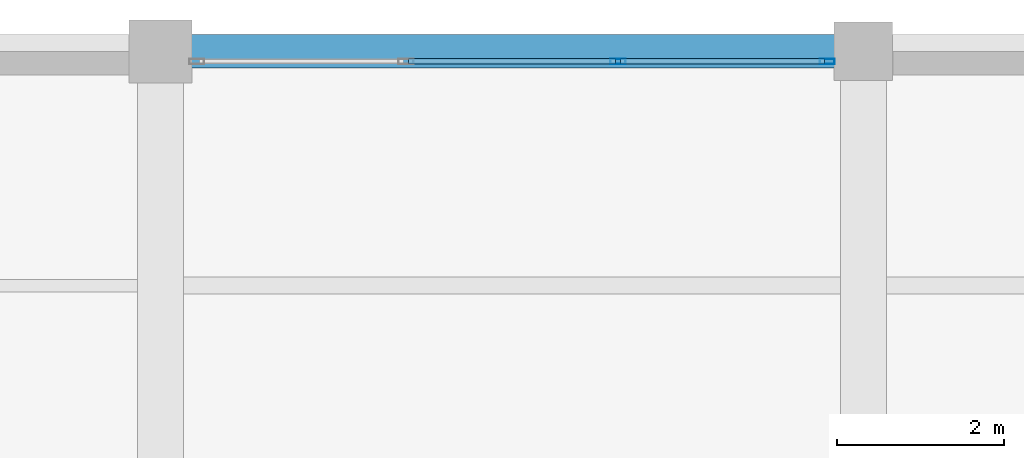
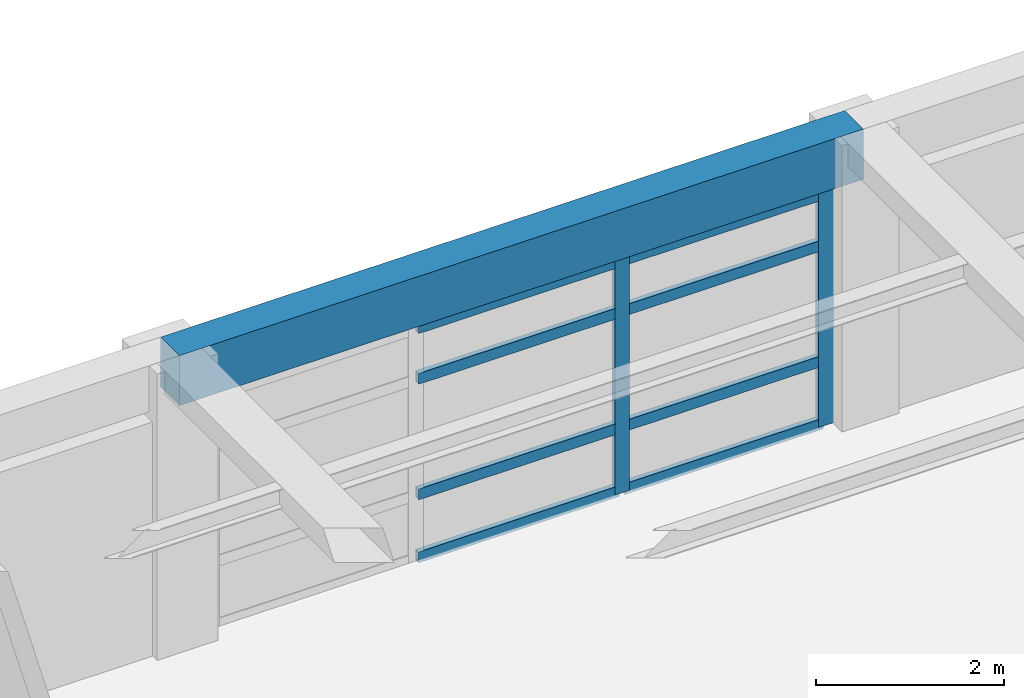
# One storey, part 17 of 26: 10 members, 1 beam, 1 element without a shape of its own.
"""IFC4 building model written with IfcOpenShell, lengths in metres."""

from ifc_helpers import new_model, si_unit, direction, frame, origin, origin_2d, place, context, subcontext, project, spatial, rectangle, hollow_rectangle, extrude, material, material_profile, profile_set, type_object, element, aggregate, save


model = new_model("IFC4")

# Units and contexts
model_context = context("Model", 3, precision=1e-05, world=origin(), true_north=direction((0.0, 1.0)))
body_context = subcontext(model_context, "Body", "Model", "MODEL_VIEW")
ifc_project = project(units=[si_unit("LENGTHUNIT", "METRE"), si_unit("AREAUNIT", "SQUARE_METRE"), si_unit("VOLUMEUNIT", "CUBIC_METRE"), si_unit("PLANEANGLEUNIT", "RADIAN"), si_unit("MASSUNIT", "GRAM", prefix="KILO")], contexts=[model_context])

# Site, building, storey
site_placement = place(None, origin())
site = spatial("IfcSite", under=ifc_project, at=site_placement, CompositionType="ELEMENT")
building_placement = place(site_placement, origin())
building = spatial("IfcBuilding", under=site, at=building_placement, Name="Almacenes y Pasaje Nevantli", CompositionType="ELEMENT")
storey_placement = place(building_placement, frame((0.0, 0.0, 30.699951171875)))
storey = spatial("IfcBuildingStorey", under=building, at=storey_placement, Name="L07", CompositionType="ELEMENT", Elevation=30.699951171875)

# Beam
ifc_material_1 = material(Name="Concrete C35/45", Category="concrete")
ifc_material_profile_1 = material_profile(ifc_material_1, rectangle(XDim=0.39990234375, YDim=0.64990234375, at=origin_2d()), Name="RC-BM-400x650")
ifc_profile_set_1 = profile_set([ifc_material_profile_1], Name="Concrete C35/45")
beam_type = type_object("IfcBeamType", Name="BM-RC-400x650", PredefinedType="SPANDREL", material=ifc_profile_set_1)
beam_placement = place(storey_placement, frame((117.60009765625, 100.800048828125, 3.39501953125), z_axis=(1.0, 0.0, 0.0), x_axis=(0.0, 1.0, 0.0)))
element("IfcBeam", 1, at=beam_placement, inside=storey, type_object=beam_type, Name="L07 East-West Reinforced Concrete Beam #3654", PredefinedType="SPANDREL", context=body_context, shape_type="SweptSolid", body=[
    extrude(rectangle(XDim=0.39990234375, YDim=0.64990234375, at=origin_2d()), origin(), (0.0, 0.0, 1.0), 8.39990234375),
])

# Curtain wall, members
ifc_material_2 = material(Name="Thermally Broken Aluminium and Low-E Glass", Category="aluminium")
curtain_wall_type = type_object("IfcCurtainWallType", Name="CW-UNIT-TOWER", PredefinedType="USERDEFINED", material=ifc_material_2)
curtain_wall_placement = place(storey_placement, origin())
curtain_wall = element("IfcCurtainWall", 2, at=curtain_wall_placement, inside=storey, type_object=curtain_wall_type, Name="L07 Tower North Boulevard Unitized Curtain Wall Bay 15", ObjectType="UNITIZED CURTAIN WALL", PredefinedType="USERDEFINED")
ifc_material_3 = material(Name="Thermally Broken Anodized Aluminium", Category="aluminium")
ifc_material_profile_2 = material_profile(ifc_material_3, hollow_rectangle(XDim=0.06494140625, YDim=0.179931640625, WallThickness=0.00390625, at=origin_2d()), Name="ALU-MUL-65x180")
ifc_profile_set_2 = profile_set([ifc_material_profile_2], Name="Thermally Broken Anodized Aluminium")
member_type_1 = type_object("IfcMemberType", Name="CW-MUL-200", PredefinedType="MULLION", material=ifc_profile_set_2)
member_1_placement = place(storey_placement, frame((123.066650390625, 100.679931640625, 0.0), z_axis=(0.0, 0.0, 1.0), x_axis=(0.0, 1.0, 0.0)))
member_1 = element("IfcMember", 3, at=member_1_placement, type_object=member_type_1, Name="CW-L07-112 mullion 3", PredefinedType="MULLION", context=body_context, shape_type="SweptSolid", body=[
    extrude(hollow_rectangle(XDim=0.06494140625, YDim=0.179931640625, WallThickness=0.00390625, at=origin_2d()), origin(), (0.0, 0.0, 1.0), 3.0400390625),
])
member_2_placement = place(storey_placement, frame((125.5673828125, 100.679931640625, 0.0), z_axis=(0.0, 0.0, 1.0), x_axis=(0.0, 1.0, 0.0)))
member_2 = element("IfcMember", 4, at=member_2_placement, type_object=member_type_1, Name="CW-L07-112 mullion 4", PredefinedType="MULLION", context=body_context, shape_type="SweptSolid", body=[
    extrude(hollow_rectangle(XDim=0.06494140625, YDim=0.179931640625, WallThickness=0.00390625, at=origin_2d()), origin(), (0.0, 0.0, 1.0), 3.0400390625),
])
ifc_material_4 = material(Name="Thermally Broken Anodized Aluminium", Category="aluminium")
ifc_material_profile_3 = material_profile(ifc_material_4, hollow_rectangle(XDim=0.06494140625, YDim=0.139892578125, WallThickness=0.00390625, at=origin_2d()), Name="ALU-TRN-65x140")
ifc_profile_set_3 = profile_set([ifc_material_profile_3], Name="Thermally Broken Anodized Aluminium")
member_type_2 = type_object("IfcMemberType", Name="CW-TRN-150", PredefinedType="USERDEFINED", material=ifc_profile_set_3)
member_3_placement = place(storey_placement, frame((120.56591796875, 100.679931640625, 0.032470703125), z_axis=(1.0, 0.0, 0.0), x_axis=(0.0, 1.0, 0.0)))
member_3 = element("IfcMember", 5, at=member_3_placement, type_object=member_type_2, Name="CW-L07-112 transom 2.1", ObjectType="TRANSOM", PredefinedType="USERDEFINED", context=body_context, shape_type="SweptSolid", body=[
    extrude(hollow_rectangle(XDim=0.06494140625, YDim=0.139892578125, WallThickness=0.00390625, at=origin_2d()), origin(), (0.0, 0.0, 1.0), 2.46826171875),
])
member_4_placement = place(storey_placement, frame((120.56591796875, 100.679931640625, 0.85009765625), z_axis=(1.0, 0.0, 0.0), x_axis=(0.0, 1.0, 0.0)))
member_4 = element("IfcMember", 6, at=member_4_placement, type_object=member_type_2, Name="CW-L07-112 transom 2.2", ObjectType="TRANSOM", PredefinedType="USERDEFINED", context=body_context, shape_type="SweptSolid", body=[
    extrude(hollow_rectangle(XDim=0.06494140625, YDim=0.139892578125, WallThickness=0.00390625, at=origin_2d()), origin(), (0.0, 0.0, 1.0), 2.46826171875),
])
member_5_placement = place(storey_placement, frame((120.56591796875, 100.679931640625, 2.35009765625), z_axis=(1.0, 0.0, 0.0), x_axis=(0.0, 1.0, 0.0)))
member_5 = element("IfcMember", 7, at=member_5_placement, type_object=member_type_2, Name="CW-L07-112 transom 2.3", ObjectType="TRANSOM", PredefinedType="USERDEFINED", context=body_context, shape_type="SweptSolid", body=[
    extrude(hollow_rectangle(XDim=0.06494140625, YDim=0.139892578125, WallThickness=0.00390625, at=origin_2d()), origin(), (0.0, 0.0, 1.0), 2.46826171875),
])
member_6_placement = place(storey_placement, frame((120.56591796875, 100.679931640625, 3.007568359375), z_axis=(1.0, 0.0, 0.0), x_axis=(0.0, 1.0, 0.0)))
member_6 = element("IfcMember", 8, at=member_6_placement, type_object=member_type_2, Name="CW-L07-112 transom 2.4", ObjectType="TRANSOM", PredefinedType="USERDEFINED", context=body_context, shape_type="SweptSolid", body=[
    extrude(hollow_rectangle(XDim=0.06494140625, YDim=0.139892578125, WallThickness=0.00390625, at=origin_2d()), origin(), (0.0, 0.0, 1.0), 2.46826171875),
])
member_7_placement = place(storey_placement, frame((123.09912109375, 100.679931640625, 0.032470703125), z_axis=(1.0, 0.0, 0.0), x_axis=(0.0, 1.0, 0.0)))
member_7 = element("IfcMember", 9, at=member_7_placement, type_object=member_type_2, Name="CW-L07-112 transom 3.1", ObjectType="TRANSOM", PredefinedType="USERDEFINED", context=body_context, shape_type="SweptSolid", body=[
    extrude(hollow_rectangle(XDim=0.06494140625, YDim=0.139892578125, WallThickness=0.00390625, at=origin_2d()), origin(), (0.0, 0.0, 1.0), 2.435791015625),
])
member_8_placement = place(storey_placement, frame((123.09912109375, 100.679931640625, 0.85009765625), z_axis=(1.0, 0.0, 0.0), x_axis=(0.0, 1.0, 0.0)))
member_8 = element("IfcMember", 10, at=member_8_placement, type_object=member_type_2, Name="CW-L07-112 transom 3.2", ObjectType="TRANSOM", PredefinedType="USERDEFINED", context=body_context, shape_type="SweptSolid", body=[
    extrude(hollow_rectangle(XDim=0.06494140625, YDim=0.139892578125, WallThickness=0.00390625, at=origin_2d()), origin(), (0.0, 0.0, 1.0), 2.435791015625),
])
member_9_placement = place(storey_placement, frame((123.09912109375, 100.679931640625, 2.35009765625), z_axis=(1.0, 0.0, 0.0), x_axis=(0.0, 1.0, 0.0)))
member_9 = element("IfcMember", 11, at=member_9_placement, type_object=member_type_2, Name="CW-L07-112 transom 3.3", ObjectType="TRANSOM", PredefinedType="USERDEFINED", context=body_context, shape_type="SweptSolid", body=[
    extrude(hollow_rectangle(XDim=0.06494140625, YDim=0.139892578125, WallThickness=0.00390625, at=origin_2d()), origin(), (0.0, 0.0, 1.0), 2.435791015625),
])
member_10_placement = place(storey_placement, frame((123.09912109375, 100.679931640625, 3.007568359375), z_axis=(1.0, 0.0, 0.0), x_axis=(0.0, 1.0, 0.0)))
member_10 = element("IfcMember", 12, at=member_10_placement, type_object=member_type_2, Name="CW-L07-112 transom 3.4", ObjectType="TRANSOM", PredefinedType="USERDEFINED", context=body_context, shape_type="SweptSolid", body=[
    extrude(hollow_rectangle(XDim=0.06494140625, YDim=0.139892578125, WallThickness=0.00390625, at=origin_2d()), origin(), (0.0, 0.0, 1.0), 2.435791015625),
])
aggregate(curtain_wall, [member_1, member_2, member_3, member_4, member_5, member_6, member_7, member_8, member_9, member_10])

save(model, "model.ifc")
